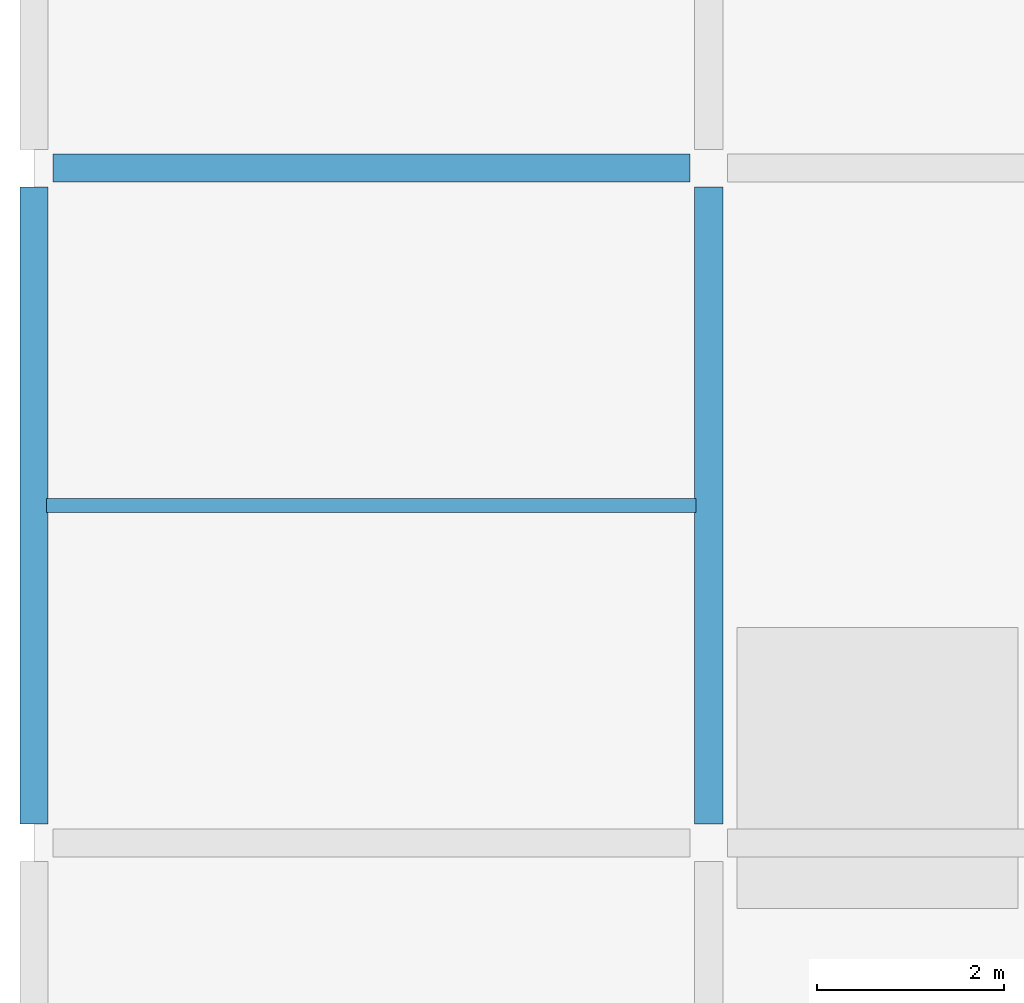
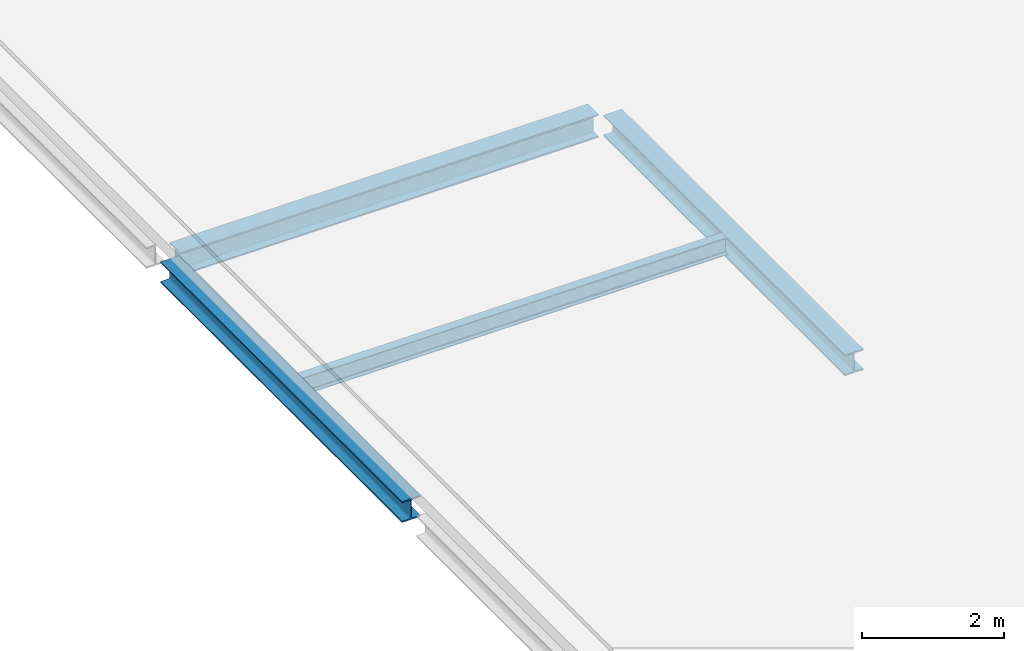
# One storey, part 190 of 397: 4 beams.
"""IFC4 building model written with IfcOpenShell, lengths in metres."""

from ifc_helpers import new_model, si_unit, direction, frame, origin, origin_2d, place, context, subcontext, project, spatial, i_section, extrude, material, material_profile, profile_set, type_object, element, save


model = new_model("IFC4")

# Units and contexts
model_context = context("Model", 3, precision=1e-05, world=origin(), true_north=direction((0.0, 1.0)))
body_context = subcontext(model_context, "Body", "Model", "MODEL_VIEW")
ifc_project = project(units=[si_unit("LENGTHUNIT", "METRE"), si_unit("AREAUNIT", "SQUARE_METRE"), si_unit("VOLUMEUNIT", "CUBIC_METRE"), si_unit("PLANEANGLEUNIT", "RADIAN"), si_unit("MASSUNIT", "GRAM", prefix="KILO")], contexts=[model_context])

# Site, building, storey
site_placement = place(None, origin())
site = spatial("IfcSite", under=ifc_project, at=site_placement, CompositionType="ELEMENT")
building_placement = place(site_placement, origin())
building = spatial("IfcBuilding", under=site, at=building_placement, Name="Qandorah Velis Arena", CompositionType="ELEMENT")
storey_placement = place(building_placement, frame((0.0, 0.0, 27.5)))
storey = spatial("IfcBuildingStorey", under=building, at=storey_placement, Name="RF", CompositionType="ELEMENT", Elevation=27.5)

# Beams
ifc_material = material(Name="Steel S355", Category="steel")
ifc_material_profile_1 = material_profile(ifc_material, i_section(OverallWidth=0.300048828125, OverallDepth=0.360107421875, WebThickness=0.012451171875, FlangeThickness=0.0224609375, FilletRadius=0.027099609375, at=origin_2d()), Name="HEB 360")
ifc_profile_set_1 = profile_set([ifc_material_profile_1], Name="Steel S355")
beam_type_1 = type_object("IfcBeamType", Name="STR-BM-HEB360", PredefinedType="BEAM", material=ifc_profile_set_1)
for number, where, z_axis, x_axis, name in (
    (1, (0.0, 79.39990234375, -0.39990234375), (0.0, 1.0, 0.0), (-1.0, 0.0, 0.0), "Primary floor girder RF Y-071"),
    (2, (7.199951171875, 79.39990234375, -0.39990234375), (0.0, 1.0, 0.0), (-1.0, 0.0, 0.0), "Primary floor girder RF Y-083"),
):
    element("IfcBeam", number, at=place(storey_placement, frame(where, z_axis=z_axis, x_axis=x_axis)), inside=storey, type_object=beam_type_1, Name=name, PredefinedType="BEAM", context=body_context, shape_type="SweptSolid", body=[
        extrude(i_section(OverallWidth=0.300048828125, OverallDepth=0.360107421875, WebThickness=0.012451171875, FlangeThickness=0.0224609375, FilletRadius=0.027099609375, at=origin_2d()), origin(), (0.0, 0.0, 1.0), 6.800048828125),
    ])
ifc_material_profile_2 = material_profile(ifc_material, i_section(OverallWidth=0.300048828125, OverallDepth=0.39990234375, WebThickness=0.013427734375, FlangeThickness=0.02392578125, FilletRadius=0.027099609375, at=origin_2d()), Name="HEB 400")
ifc_profile_set_2 = profile_set([ifc_material_profile_2], Name="Steel S355")
beam_type_2 = type_object("IfcBeamType", Name="STR-BM-HEB400", PredefinedType="BEAM", material=ifc_profile_set_2)
beam_1_placement = place(storey_placement, frame((0.199951171875, 86.39990234375, -0.419921875), z_axis=(1.0, 0.0, 0.0), x_axis=(0.0, 1.0, 0.0)))
element("IfcBeam", 3, at=beam_1_placement, inside=storey, type_object=beam_type_2, Name="Primary floor girder RF X-037", PredefinedType="BEAM", context=body_context, shape_type="SweptSolid", body=[
    extrude(i_section(OverallWidth=0.300048828125, OverallDepth=0.39990234375, WebThickness=0.013427734375, FlangeThickness=0.02392578125, FilletRadius=0.027099609375, at=origin_2d()), origin(), (0.0, 0.0, 1.0), 6.800048828125),
])
ifc_material_profile_3 = material_profile(ifc_material, i_section(OverallWidth=0.14990234375, OverallDepth=0.300048828125, WebThickness=0.007080078125, FlangeThickness=0.0107421875, FilletRadius=0.014892578125, at=origin_2d()), Name="IPE 300")
ifc_profile_set_3 = profile_set([ifc_material_profile_3], Name="Steel S355")
beam_type_3 = type_object("IfcBeamType", Name="STR-JST-IPE300", PredefinedType="JOIST", material=ifc_profile_set_3)
beam_2_placement = place(storey_placement, frame((0.135009765625, 82.800048828125, -0.3701171875), z_axis=(1.0, 0.0, 0.0), x_axis=(0.0, 1.0, 0.0)))
element("IfcBeam", 4, at=beam_2_placement, inside=storey, type_object=beam_type_3, Name="Secondary floor joist RF-009", PredefinedType="JOIST", context=body_context, shape_type="SweptSolid", body=[
    extrude(i_section(OverallWidth=0.14990234375, OverallDepth=0.300048828125, WebThickness=0.007080078125, FlangeThickness=0.0107421875, FilletRadius=0.014892578125, at=origin_2d()), origin(), (0.0, 0.0, 1.0), 6.929931640625),
])

save(model, "model.ifc")
